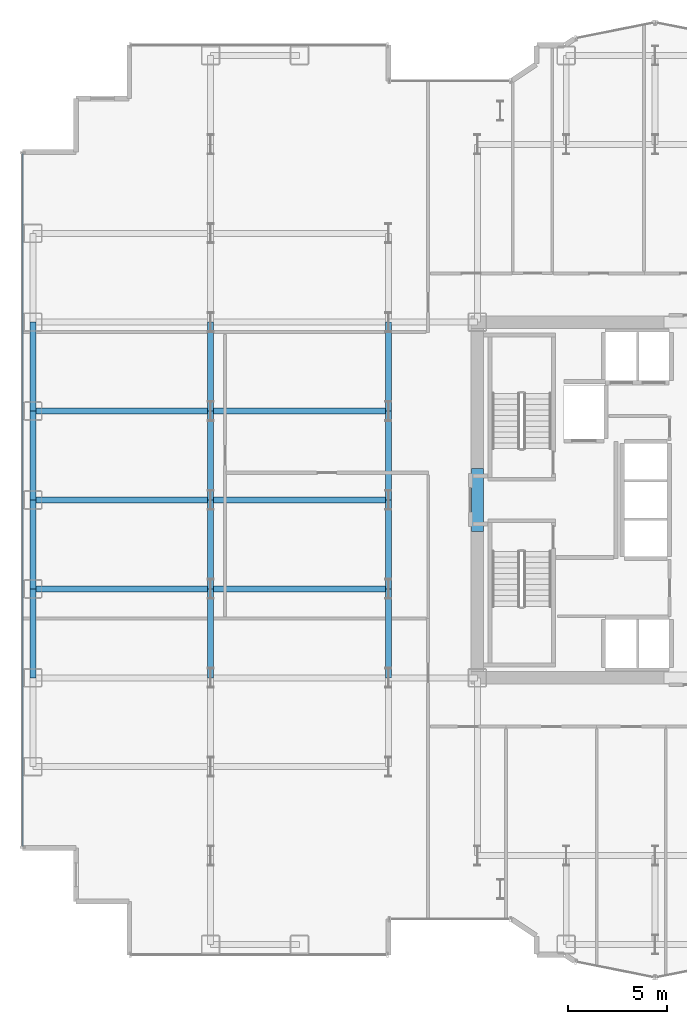
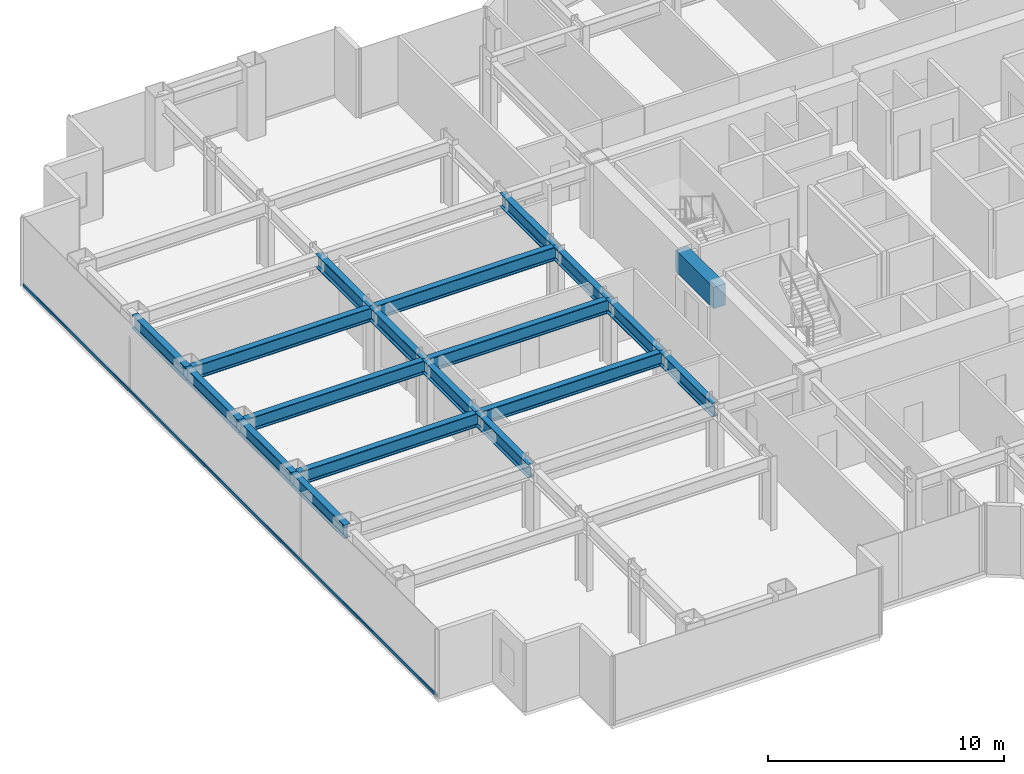
# One storey, part 5 of 26: 19 beams, 1 member, 1 element without a shape of its own.
"""IFC4 building model written with IfcOpenShell, lengths in metres."""

from ifc_helpers import new_model, si_unit, direction, frame, origin, origin_2d, place, context, subcontext, project, spatial, rectangle, hollow_rectangle, i_section, extrude, source, transform, mapped, material, layer, layer_set, material_profile, profile_set, type_object, element, aggregate, save


model = new_model("IFC4")

# Units and contexts
model_context = context("Model", 3, precision=1e-05, world=origin(), true_north=direction((0.0, 1.0)))
body_context = subcontext(model_context, "Body", "Model", "MODEL_VIEW")
ifc_project = project(units=[si_unit("LENGTHUNIT", "METRE"), si_unit("AREAUNIT", "SQUARE_METRE"), si_unit("VOLUMEUNIT", "CUBIC_METRE"), si_unit("PLANEANGLEUNIT", "RADIAN"), si_unit("MASSUNIT", "GRAM", prefix="KILO")], contexts=[model_context])

# Site, building, storey
site_placement = place(None, origin())
site = spatial("IfcSite", under=ifc_project, at=site_placement, CompositionType="ELEMENT")
building_placement = place(site_placement, origin())
building = spatial("IfcBuilding", under=site, at=building_placement, Name="Nefas-Gora Pilgrimage Tower", CompositionType="ELEMENT")
storey_placement = place(building_placement, frame((0.0, 0.0, 63.39990234375)))
storey = spatial("IfcBuildingStorey", under=building, at=storey_placement, Name="L14", CompositionType="ELEMENT", Elevation=63.39990234375)

# Beams
ifc_material_1 = material(Name="Concrete C60/75", Category="concrete")
ifc_material_profile_1 = material_profile(ifc_material_1, rectangle(XDim=0.60009765625, YDim=1.10009765625, at=origin_2d()), Name="RC 600x1100")
ifc_profile_set_1 = profile_set([ifc_material_profile_1], Name="Concrete C60/75")
beam_type_1 = type_object("IfcBeamType", Name="BM-LIN-RC1100", PredefinedType="LINTEL", material=ifc_profile_set_1)
shared_shape_1 = source(origin(), body_context, "Body", "SweptSolid", [
    extrude(rectangle(XDim=0.60009765625, YDim=1.10009765625, at=origin_2d()), origin(), (0.0, 0.0, 1.0), 3.2001953125),
])
beam_placement = place(storey_placement, frame((-11.25, -1.60009765625, 3.0), z_axis=(0.0, 1.0, 0.0), x_axis=(-1.0, 0.0, 0.0)))
element("IfcBeam", 1, at=beam_placement, inside=storey, type_object=beam_type_1, Name="L14 Core Coupling Lintel Beam W", PredefinedType="LINTEL", context=body_context, shape_type="MappedRepresentation", body=[
    mapped(shared_shape_1, transform((0.0, 0.0, 0.0), x_axis=(1.0, 0.0, 0.0), y_axis=(0.0, 1.0, 0.0), z_axis=(0.0, 0.0, 1.0), scale=1.0)),
])
ifc_material_2 = material(Name="Steel S355", Category="steel")
ifc_material_profile_2 = material_profile(ifc_material_2, i_section(OverallWidth=0.300048828125, OverallDepth=0.699951171875, WebThickness=0.01708984375, FlangeThickness=0.031982421875, FilletRadius=0.027099609375, at=origin_2d()), Name="HEB 700")
ifc_profile_set_2 = profile_set([ifc_material_profile_2], Name="Steel S355")
beam_type_2 = type_object("IfcBeamType", Name="BM-SPN-HEB600", PredefinedType="SPANDREL", material=ifc_profile_set_2)
shared_shape_2 = source(origin(), body_context, "Body", "SweptSolid", [
    extrude(i_section(OverallWidth=0.300048828125, OverallDepth=0.699951171875, WebThickness=0.01708984375, FlangeThickness=0.031982421875, FilletRadius=0.027099609375, at=origin_2d()), origin(), (0.0, 0.0, 1.0), 4.5),
])
for number, where, z_axis, x_axis, name in (
    (2, (-33.75, -9.0, 3.2001953125), (0.0, 1.0, 0.0), (-1.0, 0.0, 0.0), "L14 SP-01 beam"),
    (3, (-33.75, -4.5, 3.2001953125), (0.0, 1.0, 0.0), (-1.0, 0.0, 0.0), "L14 SP-01 beam"),
    (4, (-33.75, 0.0, 3.2001953125), (0.0, 1.0, 0.0), (-1.0, 0.0, 0.0), "L14 SP-01 beam"),
    (5, (-33.75, 4.5, 3.2001953125), (0.0, 1.0, 0.0), (-1.0, 0.0, 0.0), "L14 SP-01 beam"),
):
    element("IfcBeam", number, at=place(storey_placement, frame(where, z_axis=z_axis, x_axis=x_axis)), inside=storey, type_object=beam_type_2, Name=name, PredefinedType="SPANDREL", context=body_context, shape_type="MappedRepresentation", body=[
        mapped(shared_shape_2, transform((0.0, 0.0, 0.0), x_axis=(1.0, 0.0, 0.0), y_axis=(0.0, 1.0, 0.0), z_axis=(0.0, 0.0, 1.0), scale=1.0)),
    ])
ifc_material_profile_3 = material_profile(ifc_material_2, i_section(OverallWidth=0.300048828125, OverallDepth=0.699951171875, WebThickness=0.01708984375, FlangeThickness=0.031982421875, FilletRadius=0.027099609375, at=origin_2d()), Name="HEB 700")
ifc_profile_set_3 = profile_set([ifc_material_profile_3], Name="Steel S355")
beam_type_3 = type_object("IfcBeamType", Name="BM-GIR-HEB700", PredefinedType="BEAM", material=ifc_profile_set_3)
shared_shape_3 = source(origin(), body_context, "Body", "SweptSolid", [
    extrude(i_section(OverallWidth=0.300048828125, OverallDepth=0.699951171875, WebThickness=0.01708984375, FlangeThickness=0.031982421875, FilletRadius=0.027099609375, at=origin_2d()), origin(), (0.0, 0.0, 1.0), 9.0),
])
for number, where, z_axis, x_axis, name in (
    (6, (-33.75, -4.5, 3.2001953125), (1.0, 0.0, 0.0), (0.0, 1.0, 0.0), "L14 G-02 beam"),
    (7, (-33.75, 0.0, 3.2001953125), (1.0, 0.0, 0.0), (0.0, 1.0, 0.0), "L14 G-02 beam"),
    (8, (-33.75, 4.5, 3.2001953125), (1.0, 0.0, 0.0), (0.0, 1.0, 0.0), "L14 G-02 beam"),
    (9, (-24.75, -4.5, 3.2001953125), (1.0, 0.0, 0.0), (0.0, 1.0, 0.0), "L14 G-02 beam"),
    (10, (-24.75, 0.0, 3.2001953125), (1.0, 0.0, 0.0), (0.0, 1.0, 0.0), "L14 G-02 beam"),
    (11, (-24.75, 4.5, 3.2001953125), (1.0, 0.0, 0.0), (0.0, 1.0, 0.0), "L14 G-02 beam"),
):
    element("IfcBeam", number, at=place(storey_placement, frame(where, z_axis=z_axis, x_axis=x_axis)), inside=storey, type_object=beam_type_3, Name=name, PredefinedType="BEAM", context=body_context, shape_type="MappedRepresentation", body=[
        mapped(shared_shape_3, transform((0.0, 0.0, 0.0), x_axis=(1.0, 0.0, 0.0), y_axis=(0.0, 1.0, 0.0), z_axis=(0.0, 0.0, 1.0), scale=1.0)),
    ])
shared_shape_4 = source(origin(), body_context, "Body", "SweptSolid", [
    extrude(i_section(OverallWidth=0.300048828125, OverallDepth=0.699951171875, WebThickness=0.01708984375, FlangeThickness=0.031982421875, FilletRadius=0.027099609375, at=origin_2d()), origin(), (0.0, 0.0, 1.0), 4.5),
])
for number, where, z_axis, x_axis, name in (
    (12, (-24.75, -9.0, 3.2001953125), (0.0, 1.0, 0.0), (-1.0, 0.0, 0.0), "L14 G-02 beam"),
    (13, (-24.75, -4.5, 3.2001953125), (0.0, 1.0, 0.0), (-1.0, 0.0, 0.0), "L14 G-02 beam"),
    (14, (-24.75, 0.0, 3.2001953125), (0.0, 1.0, 0.0), (-1.0, 0.0, 0.0), "L14 G-02 beam"),
    (15, (-24.75, 4.5, 3.2001953125), (0.0, 1.0, 0.0), (-1.0, 0.0, 0.0), "L14 G-02 beam"),
    (16, (-15.75, -9.0, 3.2001953125), (0.0, 1.0, 0.0), (-1.0, 0.0, 0.0), "L14 G-02 beam"),
    (17, (-15.75, -4.5, 3.2001953125), (0.0, 1.0, 0.0), (-1.0, 0.0, 0.0), "L14 G-02 beam"),
    (18, (-15.75, 0.0, 3.2001953125), (0.0, 1.0, 0.0), (-1.0, 0.0, 0.0), "L14 G-02 beam"),
    (19, (-15.75, 4.5, 3.2001953125), (0.0, 1.0, 0.0), (-1.0, 0.0, 0.0), "L14 G-02 beam"),
):
    element("IfcBeam", number, at=place(storey_placement, frame(where, z_axis=z_axis, x_axis=x_axis)), inside=storey, type_object=beam_type_3, Name=name, PredefinedType="BEAM", context=body_context, shape_type="MappedRepresentation", body=[
        mapped(shared_shape_4, transform((0.0, 0.0, 0.0), x_axis=(1.0, 0.0, 0.0), y_axis=(0.0, 1.0, 0.0), z_axis=(0.0, 0.0, 1.0), scale=1.0)),
    ])

# Curtain wall, member
ifc_material_3 = material(Name="Dark ceramic-fritted solar-control aluminium-glass curtain wall", Category="aluminium")
ifc_layer = layer(ifc_material_3, 0.219970703125)
ifc_layer_set = layer_set([ifc_layer], Name="Dark ceramic-fritted solar-control aluminium-glass curtain wall")
curtain_wall_type = type_object("IfcCurtainWallType", Name="CW-SYS-2", PredefinedType="NOTDEFINED", material=ifc_layer_set)
curtain_wall_placement = place(storey_placement, origin())
curtain_wall = element("IfcCurtainWall", 20, at=curtain_wall_placement, inside=storey, type_object=curtain_wall_type, Name="L14 Unitised Curtain Wall CW2", PredefinedType="NOTDEFINED")
ifc_material_4 = material(Name="Anodised architectural aluminium", Category="aluminium")
ifc_material_profile_4 = material_profile(ifc_material_4, hollow_rectangle(XDim=0.080078125, YDim=0.159912109375, WallThickness=0.00439453125, InnerFilletRadius=0.00439453125, OuterFilletRadius=0.009033203125, at=origin_2d()), Name="ALU TRANSOM 80x160")
ifc_profile_set_4 = profile_set([ifc_material_profile_4], Name="Anodised architectural aluminium")
member_type = type_object("IfcMemberType", Name="CWM-TRN-2", PredefinedType="USERDEFINED", material=ifc_profile_set_4)
shared_shape_5 = source(origin(), body_context, "Body", "SweptSolid", [
    extrude(hollow_rectangle(XDim=0.080078125, YDim=0.159912109375, WallThickness=0.00439453125, InnerFilletRadius=0.00439453125, OuterFilletRadius=0.009033203125, at=origin_2d()), origin(), (0.0, 0.0, 1.0), 35.06005859375),
])
member_placement = place(storey_placement, frame((-34.27001953125, 17.530029296875, 0.050048828125), z_axis=(0.0, -1.0, 0.0), x_axis=(1.0, 0.0, 0.0)))
member = element("IfcMember", 21, at=member_placement, type_object=member_type, Name="CW2 Spandrel Transom", ObjectType="TRANSOM", PredefinedType="USERDEFINED", context=body_context, shape_type="MappedRepresentation", body=[
    mapped(shared_shape_5, transform((0.0, 0.0, 0.0), x_axis=(1.0, 0.0, 0.0), y_axis=(0.0, 1.0, 0.0), z_axis=(0.0, 0.0, 1.0), scale=1.0)),
])
aggregate(curtain_wall, [member])

save(model, "model.ifc")
